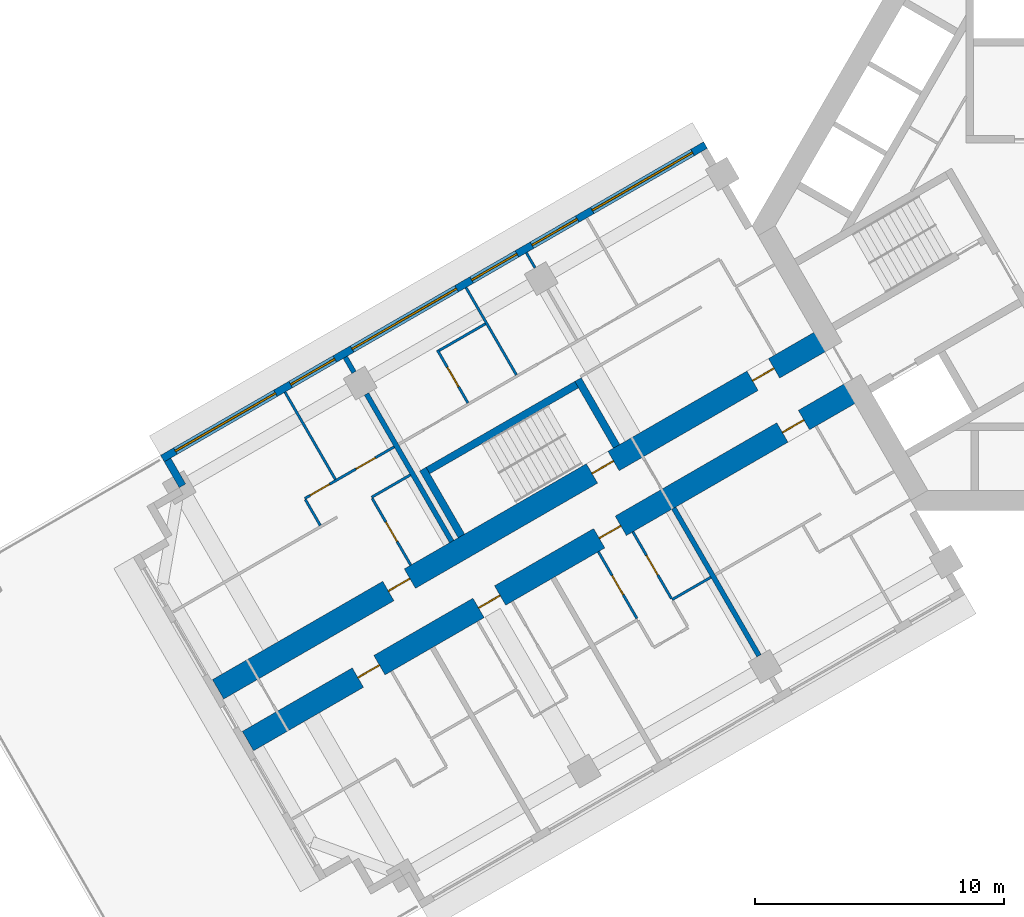
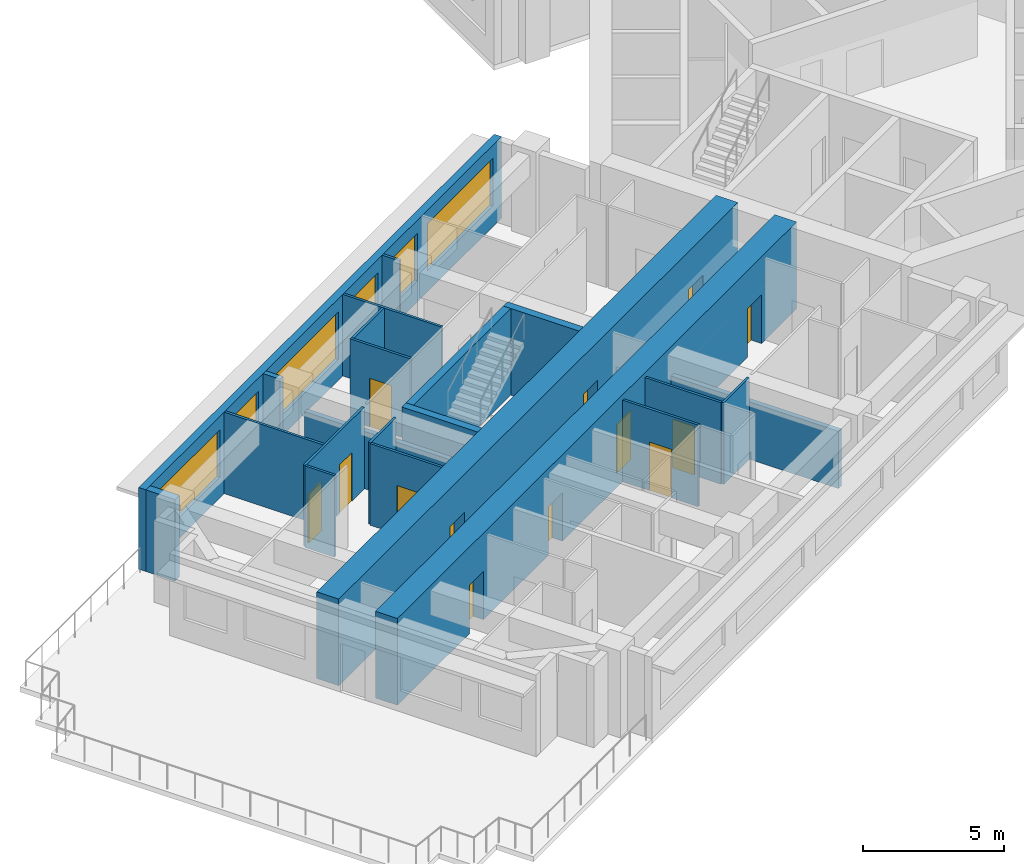
# One storey, part 4 of 15: 22 walls, 13 doors, 6 windows, 19 openings.
"""IFC4 building model written with IfcOpenShell, lengths in metres."""

from ifc_helpers import new_model, si_unit, direction, frame, frame_2d, origin, place, context, subcontext, project, spatial, rectangle, extrude, material, layer, layer_set, type_object, element, fill, save


model = new_model("IFC4")

# Units and contexts
model_context = context("Model", 3, precision=1e-05, world=origin(), true_north=direction((0.0, 1.0)))
body_context = subcontext(model_context, "Body", "Model", "MODEL_VIEW")
ifc_project = project(units=[si_unit("LENGTHUNIT", "METRE"), si_unit("AREAUNIT", "SQUARE_METRE"), si_unit("VOLUMEUNIT", "CUBIC_METRE"), si_unit("PLANEANGLEUNIT", "RADIAN"), si_unit("MASSUNIT", "GRAM", prefix="KILO")], contexts=[model_context])

# Site, building, storey
site_placement = place(None, origin())
site = spatial("IfcSite", under=ifc_project, at=site_placement, CompositionType="ELEMENT")
building_placement = place(site_placement, origin())
building = spatial("IfcBuilding", under=site, at=building_placement, Name="Impinga Residences", CompositionType="ELEMENT")
storey_placement = place(building_placement, frame((0.0, 0.0, 132.25)))
storey = spatial("IfcBuildingStorey", under=building, at=storey_placement, Name="L32", CompositionType="ELEMENT", Elevation=132.25)

# Wall, openings, doors
ifc_material_1 = material(Name="Concrete C60/75", Category="concrete")
ifc_layer_1 = layer(ifc_material_1, 0.89990234375)
ifc_layer_set_1 = layer_set([ifc_layer_1], Name="Concrete C60/75")
wall_type_1 = type_object("IfcWallType", Name="BW2 corridor buttress wall, L24 to L44 900", PredefinedType="SHEAR", material=ifc_layer_set_1)
wall_1_placement = place(storey_placement, frame((-8.95361328125, -6.554931640625, 0.0), z_axis=(0.0, 0.0, 1.0), x_axis=(-0.866023392092, -0.500003484338, 0.0)))
wall_1 = element("IfcWall", 1, at=wall_1_placement, inside=storey, type_object=wall_type_1, Name="Corridor wall BW2 WC L32", PredefinedType="SHEAR", context=body_context, shape_type="SweptSolid", body=[
    extrude(rectangle(XDim=28.300048828125, YDim=0.89990234375, at=frame_2d((14.14990234375, 0.0))), origin(), (0.0, 0.0, 1.0), 3.75),
])
opening_1_placement = place(wall_1_placement, frame((2.5, 0.0, 0.0)))
opening_1 = element("IfcOpeningElement", 2, at=opening_1_placement, cuts=wall_1, Name="Opening D1", PredefinedType="OPENING", context=body_context, shape_type="SweptSolid", body=[
    extrude(rectangle(XDim=1.0, YDim=2.10009765625, at=frame_2d((0.5, 1.050048828125))), frame((0.0, 0.4599609375, 0.0), z_axis=(0.0, -1.0, 0.0), x_axis=(1.0, 0.0, 0.0)), (0.0, 0.0, 1.0), 0.919921875),
])
opening_2_placement = place(wall_1_placement, frame((11.0, 0.0, 0.0)))
opening_2 = element("IfcOpeningElement", 3, at=opening_2_placement, cuts=wall_1, Name="Opening D1", PredefinedType="OPENING", context=body_context, shape_type="SweptSolid", body=[
    extrude(rectangle(XDim=1.0, YDim=2.10009765625, at=frame_2d((0.5, 1.050048828125))), frame((0.0, 0.4599609375, 0.0), z_axis=(0.0, -1.0, 0.0), x_axis=(1.0, 0.0, 0.0)), (0.0, 0.0, 1.0), 0.919921875),
])
opening_3_placement = place(wall_1_placement, frame((16.60009765625, 0.0, 0.0)))
opening_3 = element("IfcOpeningElement", 4, at=opening_3_placement, cuts=wall_1, Name="Opening D1", PredefinedType="OPENING", context=body_context, shape_type="SweptSolid", body=[
    extrude(rectangle(XDim=1.0, YDim=2.10009765625, at=frame_2d((0.5, 1.050048828125))), frame((0.0, 0.4599609375, 0.0), z_axis=(0.0, -1.0, 0.0), x_axis=(1.0, 0.0, 0.0)), (0.0, 0.0, 1.0), 0.919921875),
])
opening_4_placement = place(wall_1_placement, frame((22.199951171875, 0.0, 0.0)))
opening_4 = element("IfcOpeningElement", 5, at=opening_4_placement, cuts=wall_1, Name="Opening D1", PredefinedType="OPENING", context=body_context, shape_type="SweptSolid", body=[
    extrude(rectangle(XDim=1.0, YDim=2.10009765625, at=frame_2d((0.5, 1.050048828125))), frame((0.0, 0.4599609375, 0.0), z_axis=(0.0, -1.0, 0.0), x_axis=(1.0, 0.0, 0.0)), (0.0, 0.0, 1.0), 0.919921875),
])
ifc_material_2 = material(Name="Timber door set", Category="wood")
door_type_1 = type_object("IfcDoorType", Name="D1 apartment entrance door 1000x2100", OperationType="SINGLE_SWING_LEFT", PredefinedType="DOOR", material=ifc_material_2)
door_1_placement = place(opening_1_placement, origin())
door_1 = element("IfcDoor", 6, at=door_1_placement, inside=storey, type_object=door_type_1, Name="Apartment L32-WA1 entrance", OperationType="SINGLE_SWING_LEFT", OverallHeight=2.10009765625, OverallWidth=1.0, PredefinedType="DOOR", context=body_context, shape_type="SweptSolid", body=[
    extrude(rectangle(XDim=1.0, YDim=2.10009765625, at=frame_2d((0.5, 1.050048828125))), frame((0.0, 0.02490234375, 0.0), z_axis=(0.0, -1.0, 0.0), x_axis=(1.0, 0.0, 0.0)), (0.0, 0.0, 1.0), 0.050048828125),
])
fill(opening_1, door_1)
door_2_placement = place(opening_2_placement, origin())
door_2 = element("IfcDoor", 7, at=door_2_placement, inside=storey, type_object=door_type_1, Name="Apartment L32-WA2 entrance", OperationType="SINGLE_SWING_LEFT", OverallHeight=2.10009765625, OverallWidth=1.0, PredefinedType="DOOR", context=body_context, shape_type="SweptSolid", body=[
    extrude(rectangle(XDim=1.0, YDim=2.10009765625, at=frame_2d((0.5, 1.050048828125))), frame((0.0, 0.02490234375, 0.0), z_axis=(0.0, -1.0, 0.0), x_axis=(1.0, 0.0, 0.0)), (0.0, 0.0, 1.0), 0.050048828125),
])
fill(opening_2, door_2)
door_3_placement = place(opening_3_placement, origin())
door_3 = element("IfcDoor", 8, at=door_3_placement, inside=storey, type_object=door_type_1, Name="Apartment L32-WA3 entrance", OperationType="SINGLE_SWING_RIGHT", OverallHeight=2.10009765625, OverallWidth=1.0, PredefinedType="DOOR", context=body_context, shape_type="SweptSolid", body=[
    extrude(rectangle(XDim=1.0, YDim=2.10009765625, at=frame_2d((0.5, 1.050048828125))), frame((0.0, 0.02490234375, 0.0), z_axis=(0.0, -1.0, 0.0), x_axis=(1.0, 0.0, 0.0)), (0.0, 0.0, 1.0), 0.050048828125),
])
fill(opening_3, door_3)
door_4_placement = place(opening_4_placement, origin())
door_4 = element("IfcDoor", 9, at=door_4_placement, inside=storey, type_object=door_type_1, Name="Apartment L32-WA4 entrance", OperationType="SINGLE_SWING_RIGHT", OverallHeight=2.10009765625, OverallWidth=1.0, PredefinedType="DOOR", context=body_context, shape_type="SweptSolid", body=[
    extrude(rectangle(XDim=1.0, YDim=2.10009765625, at=frame_2d((0.5, 1.050048828125))), frame((0.0, 0.02490234375, 0.0), z_axis=(0.0, -1.0, 0.0), x_axis=(1.0, 0.0, 0.0)), (0.0, 0.0, 1.0), 0.050048828125),
])
fill(opening_4, door_4)

wall_2_placement = place(storey_placement, frame((-10.153564453125, -4.4765625, 0.0), z_axis=(0.0, 0.0, 1.0), x_axis=(-0.866027127636, -0.49999701419, 0.0)))
wall_2 = element("IfcWall", 10, at=wall_2_placement, inside=storey, type_object=wall_type_1, Name="Corridor wall BW2 WD L32", PredefinedType="SHEAR", context=body_context, shape_type="SweptSolid", body=[
    extrude(rectangle(XDim=28.300048828125, YDim=0.89990234375, at=frame_2d((14.14990234375, 0.0))), origin(), (0.0, 0.0, 1.0), 3.75),
])
opening_5_placement = place(wall_2_placement, frame((9.949951171875, 0.0, 0.0)))
opening_5 = element("IfcOpeningElement", 11, at=opening_5_placement, cuts=wall_2, Name="Opening D5", PredefinedType="OPENING", context=body_context, shape_type="SweptSolid", body=[
    extrude(rectangle(XDim=1.0, YDim=2.10009765625, at=frame_2d((0.5, 1.050048828125))), frame((0.0, 0.4599609375, 0.0), z_axis=(0.0, -1.0, 0.0), x_axis=(1.0, 0.0, 0.0)), (0.0, 0.0, 1.0), 0.919921875),
])
opening_6_placement = place(wall_2_placement, frame((2.5, 0.0, 0.0)))
opening_6 = element("IfcOpeningElement", 12, at=opening_6_placement, cuts=wall_2, Name="Opening D1", PredefinedType="OPENING", context=body_context, shape_type="SweptSolid", body=[
    extrude(rectangle(XDim=1.0, YDim=2.10009765625, at=frame_2d((0.5, 1.050048828125))), frame((0.0, 0.4599609375, 0.0), z_axis=(0.0, -1.0, 0.0), x_axis=(1.0, 0.0, 0.0)), (0.0, 0.0, 1.0), 0.919921875),
])
opening_7_placement = place(wall_2_placement, frame((19.39990234375, 0.0, 0.0)))
opening_7 = element("IfcOpeningElement", 13, at=opening_7_placement, cuts=wall_2, Name="Opening D1", PredefinedType="OPENING", context=body_context, shape_type="SweptSolid", body=[
    extrude(rectangle(XDim=1.0, YDim=2.10009765625, at=frame_2d((0.5, 1.050048828125))), frame((0.0, 0.4599609375, 0.0), z_axis=(0.0, -1.0, 0.0), x_axis=(1.0, 0.0, 0.0)), (0.0, 0.0, 1.0), 0.919921875),
])
door_5_placement = place(opening_6_placement, origin())
door_5 = element("IfcDoor", 14, at=door_5_placement, inside=storey, type_object=door_type_1, Name="Apartment L32-WF1 entrance", OperationType="SINGLE_SWING_LEFT", OverallHeight=2.10009765625, OverallWidth=1.0, PredefinedType="DOOR", context=body_context, shape_type="SweptSolid", body=[
    extrude(rectangle(XDim=1.0, YDim=2.10009765625, at=frame_2d((0.5, 1.050048828125))), frame((0.0, 0.02490234375, 0.0), z_axis=(0.0, -1.0, 0.0), x_axis=(1.0, 0.0, 0.0)), (0.0, 0.0, 1.0), 0.050048828125),
])
fill(opening_6, door_5)
door_6_placement = place(opening_7_placement, origin())
door_6 = element("IfcDoor", 15, at=door_6_placement, inside=storey, type_object=door_type_1, Name="Apartment L32-WF2 entrance", OperationType="SINGLE_SWING_RIGHT", OverallHeight=2.10009765625, OverallWidth=1.0, PredefinedType="DOOR", context=body_context, shape_type="SweptSolid", body=[
    extrude(rectangle(XDim=1.0, YDim=2.10009765625, at=frame_2d((0.5, 1.050048828125))), frame((0.0, 0.02490234375, 0.0), z_axis=(0.0, -1.0, 0.0), x_axis=(1.0, 0.0, 0.0)), (0.0, 0.0, 1.0), 0.050048828125),
])
fill(opening_7, door_6)
door_type_2 = type_object("IfcDoorType", Name="D5 stair door 1000x2100", OperationType="SINGLE_SWING_LEFT", PredefinedType="DOOR", material=ifc_material_2)
door_7_placement = place(opening_5_placement, origin())
door_7 = element("IfcDoor", 16, at=door_7_placement, inside=storey, type_object=door_type_2, Name="Wing stair door W", OperationType="SINGLE_SWING_LEFT", OverallHeight=2.10009765625, OverallWidth=1.0, PredefinedType="DOOR", context=body_context, shape_type="SweptSolid", body=[
    extrude(rectangle(XDim=1.0, YDim=2.10009765625, at=frame_2d((0.5, 1.050048828125))), frame((0.0, 0.02490234375, 0.0), z_axis=(0.0, -1.0, 0.0), x_axis=(1.0, 0.0, 0.0)), (0.0, 0.0, 1.0), 0.050048828125),
])
fill(opening_5, door_7)

# Wall
ifc_material_3 = material(Name="Terracotta rainscreen on blockwork", Category="masonry")
ifc_layer_2 = layer(ifc_material_3, 0.300048828125)
ifc_layer_set_2 = layer_set([ifc_layer_2], Name="EW1 external wall, terracotta rainscreen on blockwork 300")
wall_type_2 = type_object("IfcWallType", Name="EW1 external wall, terracotta rainscreen on blockwork 300", PredefinedType="SOLIDWALL", material=ifc_layer_set_2)
wall_3_placement = place(storey_placement, frame((-36.093994140625, -10.446533203125, 0.0), z_axis=(0.0, 0.0, 1.0), x_axis=(-0.499880961361, 0.866094119867, 0.0)))
element("IfcWall", 17, at=wall_3_placement, inside=storey, type_object=wall_type_2, Name="External wall EW1 L32", PredefinedType="SOLIDWALL", context=body_context, shape_type="SweptSolid", body=[
    extrude(rectangle(XDim=1.199951171875, YDim=0.300048828125, at=frame_2d((0.60009765625, 0.0))), origin(), (0.0, 0.0, 1.0), 3.530029296875),
])

# Wall, openings, windows
wall_4_placement = place(storey_placement, frame((-36.89892578125, -9.352294921875, 0.0), z_axis=(0.0, 0.0, 1.0), x_axis=(0.86602925447, 0.499993330357, 0.0)))
wall_4 = element("IfcWall", 18, at=wall_4_placement, inside=storey, type_object=wall_type_2, Name="External wall EW1 L32", PredefinedType="SOLIDWALL", context=body_context, shape_type="SweptSolid", body=[
    extrude(rectangle(XDim=25.199951171875, YDim=0.300048828125, at=frame_2d((12.60009765625, 0.0))), origin(), (0.0, 0.0, 1.0), 3.530029296875),
])
opening_8_placement = place(wall_4_placement, frame((0.60009765625, 0.0, 0.89990234375)))
opening_8 = element("IfcOpeningElement", 19, at=opening_8_placement, cuts=wall_4, Name="Opening W10", PredefinedType="OPENING", context=body_context, shape_type="SweptSolid", body=[
    extrude(rectangle(XDim=4.64990234375, YDim=2.050048828125, at=frame_2d((2.324951171875, 1.02490234375))), frame((0.0, 0.159912109375, 0.0), z_axis=(0.0, -1.0, 0.0), x_axis=(1.0, 0.0, 0.0)), (0.0, 0.0, 1.0), 0.320068359375),
])
opening_9_placement = place(wall_4_placement, frame((5.949951171875, 0.0, 0.89990234375)))
opening_9 = element("IfcOpeningElement", 20, at=opening_9_placement, cuts=wall_4, Name="Opening W14", PredefinedType="OPENING", context=body_context, shape_type="SweptSolid", body=[
    extrude(rectangle(XDim=2.050048828125, YDim=2.050048828125, at=frame_2d((1.02490234375, 1.02490234375))), frame((0.0, 0.159912109375, 0.0), z_axis=(0.0, -1.0, 0.0), x_axis=(1.0, 0.0, 0.0)), (0.0, 0.0, 1.0), 0.320068359375),
])
opening_10_placement = place(wall_4_placement, frame((8.800048828125, 0.0, 0.89990234375)))
opening_10 = element("IfcOpeningElement", 21, at=opening_10_placement, cuts=wall_4, Name="Opening W6", PredefinedType="OPENING", context=body_context, shape_type="SweptSolid", body=[
    extrude(rectangle(XDim=4.85009765625, YDim=2.050048828125, at=frame_2d((2.425048828125, 1.02490234375))), frame((0.0, 0.159912109375, 0.0), z_axis=(0.0, -1.0, 0.0), x_axis=(1.0, 0.0, 0.0)), (0.0, 0.0, 1.0), 0.320068359375),
])
opening_11_placement = place(wall_4_placement, frame((14.35009765625, 0.0, 0.89990234375)))
opening_11 = element("IfcOpeningElement", 22, at=opening_11_placement, cuts=wall_4, Name="Opening W9", PredefinedType="OPENING", context=body_context, shape_type="SweptSolid", body=[
    extrude(rectangle(XDim=2.10009765625, YDim=2.050048828125, at=frame_2d((1.050048828125, 1.02490234375))), frame((0.0, 0.159912109375, 0.0), z_axis=(0.0, -1.0, 0.0), x_axis=(1.0, 0.0, 0.0)), (0.0, 0.0, 1.0), 0.320068359375),
])
opening_12_placement = place(wall_4_placement, frame((17.14990234375, 0.0, 0.89990234375)))
opening_12 = element("IfcOpeningElement", 23, at=opening_12_placement, cuts=wall_4, Name="Opening W9", PredefinedType="OPENING", context=body_context, shape_type="SweptSolid", body=[
    extrude(rectangle(XDim=2.10009765625, YDim=2.050048828125, at=frame_2d((1.050048828125, 1.02490234375))), frame((0.0, 0.159912109375, 0.0), z_axis=(0.0, -1.0, 0.0), x_axis=(1.0, 0.0, 0.0)), (0.0, 0.0, 1.0), 0.320068359375),
])
opening_13_placement = place(wall_4_placement, frame((19.949951171875, 0.0, 0.89990234375)))
opening_13 = element("IfcOpeningElement", 24, at=opening_13_placement, cuts=wall_4, Name="Opening W10", PredefinedType="OPENING", context=body_context, shape_type="SweptSolid", body=[
    extrude(rectangle(XDim=4.64990234375, YDim=2.050048828125, at=frame_2d((2.324951171875, 1.02490234375))), frame((0.0, 0.159912109375, 0.0), z_axis=(0.0, -1.0, 0.0), x_axis=(1.0, 0.0, 0.0)), (0.0, 0.0, 1.0), 0.320068359375),
])
ifc_material_4 = material(Name="Aluminium window, clear double glazing", Category="aluminium")
window_type_1 = type_object("IfcWindowType", Name="W10 ribbon window 4650x2050", PartitioningType="SINGLE_PANEL", PredefinedType="WINDOW", material=ifc_material_4)
window_1_placement = place(opening_8_placement, origin())
window_1 = element("IfcWindow", 25, at=window_1_placement, inside=storey, type_object=window_type_1, Name="Window L32", OverallHeight=2.050048828125, OverallWidth=4.64990234375, PartitioningType="SINGLE_PANEL", PredefinedType="WINDOW", context=body_context, shape_type="SweptSolid", body=[
    extrude(rectangle(XDim=4.64990234375, YDim=2.050048828125, at=frame_2d((2.324951171875, 1.02490234375))), frame((0.0, 0.030029296875, 0.0), z_axis=(0.0, -1.0, 0.0), x_axis=(1.0, 0.0, 0.0)), (0.0, 0.0, 1.0), 0.06005859375),
])
fill(opening_8, window_1)
window_2_placement = place(opening_13_placement, origin())
window_2 = element("IfcWindow", 26, at=window_2_placement, inside=storey, type_object=window_type_1, Name="Window L32", OverallHeight=2.050048828125, OverallWidth=4.64990234375, PartitioningType="SINGLE_PANEL", PredefinedType="WINDOW", context=body_context, shape_type="SweptSolid", body=[
    extrude(rectangle(XDim=4.64990234375, YDim=2.050048828125, at=frame_2d((2.324951171875, 1.02490234375))), frame((0.0, 0.030029296875, 0.0), z_axis=(0.0, -1.0, 0.0), x_axis=(1.0, 0.0, 0.0)), (0.0, 0.0, 1.0), 0.06005859375),
])
fill(opening_13, window_2)
window_type_2 = type_object("IfcWindowType", Name="W14 ribbon window 2050x2050", PartitioningType="SINGLE_PANEL", PredefinedType="WINDOW", material=ifc_material_4)
window_3_placement = place(opening_9_placement, origin())
window_3 = element("IfcWindow", 27, at=window_3_placement, inside=storey, type_object=window_type_2, Name="Window L32", OverallHeight=2.050048828125, OverallWidth=2.050048828125, PartitioningType="SINGLE_PANEL", PredefinedType="WINDOW", context=body_context, shape_type="SweptSolid", body=[
    extrude(rectangle(XDim=2.050048828125, YDim=2.050048828125, at=frame_2d((1.02490234375, 1.02490234375))), frame((0.0, 0.030029296875, 0.0), z_axis=(0.0, -1.0, 0.0), x_axis=(1.0, 0.0, 0.0)), (0.0, 0.0, 1.0), 0.06005859375),
])
fill(opening_9, window_3)
window_type_3 = type_object("IfcWindowType", Name="W6 ribbon window 4850x2050", PartitioningType="SINGLE_PANEL", PredefinedType="WINDOW", material=ifc_material_4)
window_4_placement = place(opening_10_placement, origin())
window_4 = element("IfcWindow", 28, at=window_4_placement, inside=storey, type_object=window_type_3, Name="Window L32", OverallHeight=2.050048828125, OverallWidth=4.85009765625, PartitioningType="SINGLE_PANEL", PredefinedType="WINDOW", context=body_context, shape_type="SweptSolid", body=[
    extrude(rectangle(XDim=4.85009765625, YDim=2.050048828125, at=frame_2d((2.425048828125, 1.02490234375))), frame((0.0, 0.030029296875, 0.0), z_axis=(0.0, -1.0, 0.0), x_axis=(1.0, 0.0, 0.0)), (0.0, 0.0, 1.0), 0.06005859375),
])
fill(opening_10, window_4)
window_type_4 = type_object("IfcWindowType", Name="W9 ribbon window 2100x2050", PartitioningType="SINGLE_PANEL", PredefinedType="WINDOW", material=ifc_material_4)
window_5_placement = place(opening_11_placement, origin())
window_5 = element("IfcWindow", 29, at=window_5_placement, inside=storey, type_object=window_type_4, Name="Window L32", OverallHeight=2.050048828125, OverallWidth=2.10009765625, PartitioningType="SINGLE_PANEL", PredefinedType="WINDOW", context=body_context, shape_type="SweptSolid", body=[
    extrude(rectangle(XDim=2.10009765625, YDim=2.050048828125, at=frame_2d((1.050048828125, 1.02490234375))), frame((0.0, 0.030029296875, 0.0), z_axis=(0.0, -1.0, 0.0), x_axis=(1.0, 0.0, 0.0)), (0.0, 0.0, 1.0), 0.06005859375),
])
fill(opening_11, window_5)
window_6_placement = place(opening_12_placement, origin())
window_6 = element("IfcWindow", 30, at=window_6_placement, inside=storey, type_object=window_type_4, Name="Window L32", OverallHeight=2.050048828125, OverallWidth=2.10009765625, PartitioningType="SINGLE_PANEL", PredefinedType="WINDOW", context=body_context, shape_type="SweptSolid", body=[
    extrude(rectangle(XDim=2.10009765625, YDim=2.050048828125, at=frame_2d((1.050048828125, 1.02490234375))), frame((0.0, 0.030029296875, 0.0), z_axis=(0.0, -1.0, 0.0), x_axis=(1.0, 0.0, 0.0)), (0.0, 0.0, 1.0), 0.06005859375),
])
fill(opening_12, window_6)

# Wall
ifc_material_5 = material(Name="Gypsum board on steel studs", Category="steel")
ifc_layer_3 = layer(ifc_material_5, 0.10009765625)
ifc_layer_set_3 = layer_set([ifc_layer_3], Name="Gypsum board on steel studs")
wall_type_3 = type_object("IfcWallType", Name="IP1 partition 100", PredefinedType="PARTITIONING", material=ifc_layer_set_3)
wall_5_placement = place(storey_placement, frame((-14.861328125, -14.122802734375, 0.0), z_axis=(0.0, 0.0, 1.0), x_axis=(-0.866047807691, -0.499961193289, 0.0)))
element("IfcWall", 31, at=wall_5_placement, inside=storey, type_object=wall_type_3, Name="Partition L32-WA2:DIV0", PredefinedType="PARTITIONING", context=body_context, shape_type="SweptSolid", body=[
    extrude(rectangle(XDim=1.800048828125, YDim=0.10009765625, at=frame_2d((0.89990234375, 0.0))), origin(), (0.0, 0.0, 1.0), 3.530029296875),
])

# Wall, opening, door
wall_6_placement = place(storey_placement, frame((-17.9951171875, -12.294677734375, 0.0), z_axis=(0.0, 0.0, 1.0), x_axis=(0.49999285859, -0.86602952684, 0.0)))
wall_6 = element("IfcWall", 32, at=wall_6_placement, inside=storey, type_object=wall_type_3, Name="Partition L32-WA2:IB1", PredefinedType="PARTITIONING", context=body_context, shape_type="SweptSolid", body=[
    extrude(rectangle(XDim=3.10009765625, YDim=0.10009765625, at=frame_2d((1.550048828125, 0.0))), origin(), (0.0, 0.0, 1.0), 3.530029296875),
])
opening_14_placement = place(wall_6_placement, frame((1.10009765625, 0.0, 0.0)))
opening_14 = element("IfcOpeningElement", 33, at=opening_14_placement, cuts=wall_6, Name="Opening D2", PredefinedType="OPENING", context=body_context, shape_type="SweptSolid", body=[
    extrude(rectangle(XDim=0.89990234375, YDim=2.10009765625, at=frame_2d((0.449951171875, 1.050048828125))), frame((0.0, 0.06005859375, 0.0), z_axis=(0.0, -1.0, 0.0), x_axis=(1.0, 0.0, 0.0)), (0.0, 0.0, 1.0), 0.1201171875),
])
door_type_3 = type_object("IfcDoorType", Name="D2 internal door 900x2100", OperationType="SINGLE_SWING_LEFT", PredefinedType="DOOR", material=ifc_material_2)
door_8_placement = place(opening_14_placement, origin())
door_8 = element("IfcDoor", 34, at=door_8_placement, inside=storey, type_object=door_type_3, Name="Apartment L32-WA2 bathroom door", OperationType="SINGLE_SWING_LEFT", OverallHeight=2.10009765625, OverallWidth=0.89990234375, PredefinedType="DOOR", context=body_context, shape_type="SweptSolid", body=[
    extrude(rectangle(XDim=0.89990234375, YDim=2.10009765625, at=frame_2d((0.449951171875, 1.050048828125))), frame((0.0, 0.02490234375, 0.0), z_axis=(0.0, -1.0, 0.0), x_axis=(1.0, 0.0, 0.0)), (0.0, 0.0, 1.0), 0.050048828125),
])
fill(opening_14, door_8)

wall_7_placement = place(storey_placement, frame((-19.380615234375, -13.0947265625, 0.0), z_axis=(0.0, 0.0, 1.0), x_axis=(0.499967891604, -0.866043940782, 0.0)))
wall_7 = element("IfcWall", 35, at=wall_7_placement, inside=storey, type_object=wall_type_3, Name="Partition L32-WA2:IB2", PredefinedType="PARTITIONING", context=body_context, shape_type="SweptSolid", body=[
    extrude(rectangle(XDim=3.099853515625, YDim=0.10009765625, at=frame_2d((1.5498046875, 0.0))), origin(), (0.0, 0.0, 1.0), 3.530029296875),
])
opening_15_placement = place(wall_7_placement, frame((1.10009765625, 0.0, 0.0)))
opening_15 = element("IfcOpeningElement", 36, at=opening_15_placement, cuts=wall_7, Name="Opening D2", PredefinedType="OPENING", context=body_context, shape_type="SweptSolid", body=[
    extrude(rectangle(XDim=0.89990234375, YDim=2.10009765625, at=frame_2d((0.449951171875, 1.050048828125))), frame((0.0, 0.06005859375, 0.0), z_axis=(0.0, -1.0, 0.0), x_axis=(1.0, 0.0, 0.0)), (0.0, 0.0, 1.0), 0.1201171875),
])
door_9_placement = place(opening_15_placement, origin())
door_9 = element("IfcDoor", 37, at=door_9_placement, inside=storey, type_object=door_type_3, Name="Apartment L32-WA2 WC door", OperationType="SINGLE_SWING_LEFT", OverallHeight=2.10009765625, OverallWidth=0.89990234375, PredefinedType="DOOR", context=body_context, shape_type="SweptSolid", body=[
    extrude(rectangle(XDim=0.89990234375, YDim=2.10009765625, at=frame_2d((0.449951171875, 1.050048828125))), frame((0.0, 0.02490234375, 0.0), z_axis=(0.0, -1.0, 0.0), x_axis=(1.0, 0.0, 0.0)), (0.0, 0.0, 1.0), 0.050048828125),
])
fill(opening_15, door_9)

# Walls
wall_8_placement = place(storey_placement, frame((-21.924560546875, -1.6884765625, 0.0), z_axis=(0.0, 0.0, 1.0), x_axis=(-0.500114896893, 0.865959057869, 0.0)))
element("IfcWall", 38, at=wall_8_placement, inside=storey, type_object=wall_type_3, Name="Partition L32-WF1:OB2b", PredefinedType="PARTITIONING", context=body_context, shape_type="SweptSolid", body=[
    extrude(rectangle(XDim=0.699951171875, YDim=0.10009765625, at=frame_2d((0.35009765625, 0.0))), origin(), (0.0, 0.0, 1.0), 3.530029296875),
])
wall_9_placement = place(storey_placement, frame((-22.674560546875, -5.98974609375, 0.0), z_axis=(0.0, 0.0, 1.0), x_axis=(-0.499990325971, 0.866030989016, 0.0)))
element("IfcWall", 39, at=wall_9_placement, inside=storey, type_object=wall_type_3, Name="Partition L32-WF1:OB3", PredefinedType="PARTITIONING", context=body_context, shape_type="SweptSolid", body=[
    extrude(rectangle(XDim=4.0498046875, YDim=0.10009765625, at=frame_2d((2.02490234375, 0.0))), origin(), (0.0, 0.0, 1.0), 3.530029296875),
])

# Wall, opening, door
wall_10_placement = place(storey_placement, frame((-24.623046875, -7.11474609375, 0.0), z_axis=(0.0, 0.0, 1.0), x_axis=(-0.500018594424, 0.866014668023, 0.0)))
wall_10 = element("IfcWall", 40, at=wall_10_placement, inside=storey, type_object=wall_type_3, Name="Partition L32-WF1:EN1", PredefinedType="PARTITIONING", context=body_context, shape_type="SweptSolid", body=[
    extrude(rectangle(XDim=2.4501953125, YDim=0.10009765625, at=frame_2d((1.22509765625, 0.0))), origin(), (0.0, 0.0, 1.0), 3.530029296875),
])
opening_16_placement = place(wall_10_placement, frame((0.75, 0.0, 0.0)))
opening_16 = element("IfcOpeningElement", 41, at=opening_16_placement, cuts=wall_10, Name="Opening D2", PredefinedType="OPENING", context=body_context, shape_type="SweptSolid", body=[
    extrude(rectangle(XDim=0.89990234375, YDim=2.10009765625, at=frame_2d((0.449951171875, 1.050048828125))), frame((0.0, 0.06005859375, 0.0), z_axis=(0.0, -1.0, 0.0), x_axis=(1.0, 0.0, 0.0)), (0.0, 0.0, 1.0), 0.1201171875),
])
door_10_placement = place(opening_16_placement, origin())
door_10 = element("IfcDoor", 42, at=door_10_placement, inside=storey, type_object=door_type_3, Name="Apartment L32-WF1 en-suite door", OperationType="SINGLE_SWING_LEFT", OverallHeight=2.10009765625, OverallWidth=0.89990234375, PredefinedType="DOOR", context=body_context, shape_type="SweptSolid", body=[
    extrude(rectangle(XDim=0.89990234375, YDim=2.10009765625, at=frame_2d((0.449951171875, 1.050048828125))), frame((0.0, 0.02490234375, 0.0), z_axis=(0.0, -1.0, 0.0), x_axis=(1.0, 0.0, 0.0)), (0.0, 0.0, 1.0), 0.050048828125),
])
fill(opening_16, door_10)

# Walls
wall_11_placement = place(storey_placement, frame((-23.917724609375, -3.936279296875, 0.0), z_axis=(0.0, 0.0, 1.0), x_axis=(-0.866047553582, -0.499961633463, 0.0)))
element("IfcWall", 43, at=wall_11_placement, inside=storey, type_object=wall_type_3, Name="Partition L32-WF1:EN2", PredefinedType="PARTITIONING", context=body_context, shape_type="SweptSolid", body=[
    extrude(rectangle(XDim=2.150146484375, YDim=0.10009765625, at=frame_2d((1.0751953125, 0.0))), origin(), (0.0, 0.0, 1.0), 3.530029296875),
])
wall_12_placement = place(storey_placement, frame((-26.935791015625, -10.0087890625, 0.0), z_axis=(0.0, 0.0, 1.0), x_axis=(-0.865989075817, -0.500062916607, 0.0)))
element("IfcWall", 44, at=wall_12_placement, inside=storey, type_object=wall_type_3, Name="Partition L32-WF2:DIV0", PredefinedType="PARTITIONING", context=body_context, shape_type="SweptSolid", body=[
    extrude(rectangle(XDim=1.800048828125, YDim=0.10009765625, at=frame_2d((0.89990234375, 0.0))), origin(), (0.0, 0.0, 1.0), 3.530029296875),
])

# Wall, openings, doors
wall_13_placement = place(storey_placement, frame((-27.5859375, -8.883056640625, 0.0), z_axis=(0.0, 0.0, 1.0), x_axis=(-0.86602981871, -0.499992353047, 0.0)))
wall_13 = element("IfcWall", 45, at=wall_13_placement, inside=storey, type_object=wall_type_3, Name="Partition L32-WF2:STRIP", PredefinedType="PARTITIONING", context=body_context, shape_type="SweptSolid", body=[
    extrude(rectangle(XDim=4.14990234375, YDim=0.10009765625, at=frame_2d((2.074951171875, 0.0))), origin(), (0.0, 0.0, 1.0), 3.530029296875),
])
opening_17_placement = place(wall_13_placement, frame((0.875, 0.0, 0.0)))
opening_17 = element("IfcOpeningElement", 46, at=opening_17_placement, cuts=wall_13, Name="Opening D2", PredefinedType="OPENING", context=body_context, shape_type="SweptSolid", body=[
    extrude(rectangle(XDim=0.89990234375, YDim=2.10009765625, at=frame_2d((0.449951171875, 1.050048828125))), frame((0.0, 0.06005859375, 0.0), z_axis=(0.0, -1.0, 0.0), x_axis=(1.0, 0.0, 0.0)), (0.0, 0.0, 1.0), 0.1201171875),
])
opening_18_placement = place(wall_13_placement, frame((3.0, 0.0, 0.0)))
opening_18 = element("IfcOpeningElement", 47, at=opening_18_placement, cuts=wall_13, Name="Opening D2", PredefinedType="OPENING", context=body_context, shape_type="SweptSolid", body=[
    extrude(rectangle(XDim=0.89990234375, YDim=2.10009765625, at=frame_2d((0.449951171875, 1.050048828125))), frame((0.0, 0.06005859375, 0.0), z_axis=(0.0, -1.0, 0.0), x_axis=(1.0, 0.0, 0.0)), (0.0, 0.0, 1.0), 0.1201171875),
])
door_11_placement = place(opening_17_placement, origin())
door_11 = element("IfcDoor", 48, at=door_11_placement, inside=storey, type_object=door_type_3, Name="Apartment L32-WF2 room door", OperationType="SINGLE_SWING_LEFT", OverallHeight=2.10009765625, OverallWidth=0.89990234375, PredefinedType="DOOR", context=body_context, shape_type="SweptSolid", body=[
    extrude(rectangle(XDim=0.89990234375, YDim=2.10009765625, at=frame_2d((0.449951171875, 1.050048828125))), frame((0.0, 0.02490234375, 0.0), z_axis=(0.0, -1.0, 0.0), x_axis=(1.0, 0.0, 0.0)), (0.0, 0.0, 1.0), 0.050048828125),
])
fill(opening_17, door_11)
door_12_placement = place(opening_18_placement, origin())
door_12 = element("IfcDoor", 49, at=door_12_placement, inside=storey, type_object=door_type_3, Name="Apartment L32-WF2 room door", OperationType="SINGLE_SWING_RIGHT", OverallHeight=2.10009765625, OverallWidth=0.89990234375, PredefinedType="DOOR", context=body_context, shape_type="SweptSolid", body=[
    extrude(rectangle(XDim=0.89990234375, YDim=2.10009765625, at=frame_2d((0.449951171875, 1.050048828125))), frame((0.0, 0.02490234375, 0.0), z_axis=(0.0, -1.0, 0.0), x_axis=(1.0, 0.0, 0.0)), (0.0, 0.0, 1.0), 0.050048828125),
])
fill(opening_18, door_12)

# Wall
wall_14_placement = place(storey_placement, frame((-30.554931640625, -12.04052734375, 0.0), z_axis=(0.0, 0.0, 1.0), x_axis=(-0.499880961361, 0.866094119867, 0.0)))
element("IfcWall", 50, at=wall_14_placement, inside=storey, type_object=wall_type_3, Name="Partition L32-WF2:SE1", PredefinedType="PARTITIONING", context=body_context, shape_type="SweptSolid", body=[
    extrude(rectangle(XDim=1.199951171875, YDim=0.10009765625, at=frame_2d((0.60009765625, 0.0))), origin(), (0.0, 0.0, 1.0), 3.530029296875),
])

# Wall, opening, door
wall_15_placement = place(storey_placement, frame((-26.919677734375, -13.63671875, 0.0), z_axis=(0.0, 0.0, 1.0), x_axis=(-0.500026960575, 0.86600983753, 0.0)))
wall_15 = element("IfcWall", 51, at=wall_15_placement, inside=storey, type_object=wall_type_3, Name="Partition L32-WF2:IB1", PredefinedType="PARTITIONING", context=body_context, shape_type="SweptSolid", body=[
    extrude(rectangle(XDim=3.099853515625, YDim=0.10009765625, at=frame_2d((1.5498046875, 0.0))), origin(), (0.0, 0.0, 1.0), 3.530029296875),
])
opening_19_placement = place(wall_15_placement, frame((1.10009765625, 0.0, 0.0)))
opening_19 = element("IfcOpeningElement", 52, at=opening_19_placement, cuts=wall_15, Name="Opening D2", PredefinedType="OPENING", context=body_context, shape_type="SweptSolid", body=[
    extrude(rectangle(XDim=0.89990234375, YDim=2.10009765625, at=frame_2d((0.449951171875, 1.050048828125))), frame((0.0, 0.06005859375, 0.0), z_axis=(0.0, -1.0, 0.0), x_axis=(1.0, 0.0, 0.0)), (0.0, 0.0, 1.0), 0.1201171875),
])
door_13_placement = place(opening_19_placement, origin())
door_13 = element("IfcDoor", 53, at=door_13_placement, inside=storey, type_object=door_type_3, Name="Apartment L32-WF2 bathroom door", OperationType="SINGLE_SWING_LEFT", OverallHeight=2.10009765625, OverallWidth=0.89990234375, PredefinedType="DOOR", context=body_context, shape_type="SweptSolid", body=[
    extrude(rectangle(XDim=0.89990234375, YDim=2.10009765625, at=frame_2d((0.449951171875, 1.050048828125))), frame((0.0, 0.02490234375, 0.0), z_axis=(0.0, -1.0, 0.0), x_axis=(1.0, 0.0, 0.0)), (0.0, 0.0, 1.0), 0.050048828125),
])
fill(opening_19, door_13)

# Walls
wall_16_placement = place(storey_placement, frame((-29.94921875, -10.189697265625, 0.0), z_axis=(0.0, 0.0, 1.0), x_axis=(-0.499990325971, 0.866030989016, 0.0)))
element("IfcWall", 54, at=wall_16_placement, inside=storey, type_object=wall_type_3, Name="Partition L32-WF2:OB1", PredefinedType="PARTITIONING", context=body_context, shape_type="SweptSolid", body=[
    extrude(rectangle(XDim=4.0498046875, YDim=0.10009765625, at=frame_2d((2.02490234375, 0.0))), origin(), (0.0, 0.0, 1.0), 3.530029296875),
])
ifc_material_6 = material(Name="Concrete blockwork", Category="masonry")
ifc_layer_4 = layer(ifc_material_6, 0.199951171875)
ifc_layer_set_4 = layer_set([ifc_layer_4], Name="PW1 party wall between apartments 200")
wall_type_4 = type_object("IfcWallType", Name="PW1 party wall between apartments 200", PredefinedType="SOLIDWALL", material=ifc_layer_set_4)
wall_17_placement = place(storey_placement, frame((-16.349609375, -11.3447265625, 0.0), z_axis=(0.0, 0.0, 1.0), x_axis=(0.499999086063, -0.866025931445, 0.0)))
element("IfcWall", 55, at=wall_17_placement, inside=storey, type_object=wall_type_4, Name="Party wall between apartments L32-WA1:PARTY", PredefinedType="SOLIDWALL", context=body_context, shape_type="SweptSolid", body=[
    extrude(rectangle(XDim=6.85009765625, YDim=0.199951171875, at=frame_2d((3.425048828125, 0.0))), origin(), (0.0, 0.0, 1.0), 2.47998046875),
])
wall_18_placement = place(storey_placement, frame((-25.274169921875, -12.686767578125, 0.0), z_axis=(0.0, 0.0, 1.0), x_axis=(-0.500014519185, 0.866017020967, 0.0)))
element("IfcWall", 56, at=wall_18_placement, inside=storey, type_object=wall_type_4, Name="Party wall between apartments L32-WF1:PARTY", PredefinedType="SOLIDWALL", context=body_context, shape_type="SweptSolid", body=[
    extrude(rectangle(XDim=6.849853515625, YDim=0.199951171875, at=frame_2d((3.4248046875, 0.0))), origin(), (0.0, 0.0, 1.0), 2.47998046875),
])
wall_19_placement = place(storey_placement, frame((-29.19921875, -5.888427734375, 0.0), z_axis=(0.0, 0.0, 1.0), x_axis=(-0.500114896893, 0.865959057869, 0.0)))
element("IfcWall", 57, at=wall_19_placement, inside=storey, type_object=wall_type_4, Name="Party wall between apartments L32-WF1:PARTYb", PredefinedType="SOLIDWALL", context=body_context, shape_type="SweptSolid", body=[
    extrude(rectangle(XDim=0.699951171875, YDim=0.199951171875, at=frame_2d((0.35009765625, 0.0))), origin(), (0.0, 0.0, 1.0), 3.530029296875),
])
ifc_layer_5 = layer(ifc_material_1, 0.300048828125)
ifc_layer_set_5 = layer_set([ifc_layer_5], Name="Concrete C60/75")
wall_type_5 = type_object("IfcWallType", Name="SE1 wing stair enclosure wall 300", PredefinedType="SOLIDWALL", material=ifc_layer_set_5)
wall_20_placement = place(storey_placement, frame((-18.649169921875, -8.86181640625, 0.0), z_axis=(0.0, 0.0, 1.0), x_axis=(-0.500026960575, 0.86600983753, 0.0)))
element("IfcWall", 58, at=wall_20_placement, inside=storey, type_object=wall_type_5, Name="Stair enclosure wall SE1 W END0 L32", PredefinedType="SOLIDWALL", context=body_context, shape_type="SweptSolid", body=[
    extrude(rectangle(XDim=3.099853515625, YDim=0.300048828125, at=frame_2d((1.5498046875, 0.0))), origin(), (0.0, 0.0, 1.0), 3.75),
])
wall_21_placement = place(storey_placement, frame((-24.884521484375, -12.4619140625, 0.0), z_axis=(0.0, 0.0, 1.0), x_axis=(-0.49999285859, 0.86602952684, 0.0)))
element("IfcWall", 59, at=wall_21_placement, inside=storey, type_object=wall_type_5, Name="Stair enclosure wall SE1 W END1 L32", PredefinedType="SOLIDWALL", context=body_context, shape_type="SweptSolid", body=[
    extrude(rectangle(XDim=3.10009765625, YDim=0.300048828125, at=frame_2d((1.550048828125, 0.0))), origin(), (0.0, 0.0, 1.0), 3.75),
])
wall_22_placement = place(storey_placement, frame((-20.254150390625, -6.382080078125, 0.0), z_axis=(0.0, 0.0, 1.0), x_axis=(-0.866020008033, -0.500009345598, 0.0)))
element("IfcWall", 60, at=wall_22_placement, inside=storey, type_object=wall_type_5, Name="Stair enclosure wall SE1 W OUT L32", PredefinedType="SOLIDWALL", context=body_context, shape_type="SweptSolid", body=[
    extrude(rectangle(XDim=6.899658203125, YDim=0.300048828125, at=frame_2d((3.44970703125, 0.0))), origin(), (0.0, 0.0, 1.0), 3.75),
])

save(model, "model.ifc")
